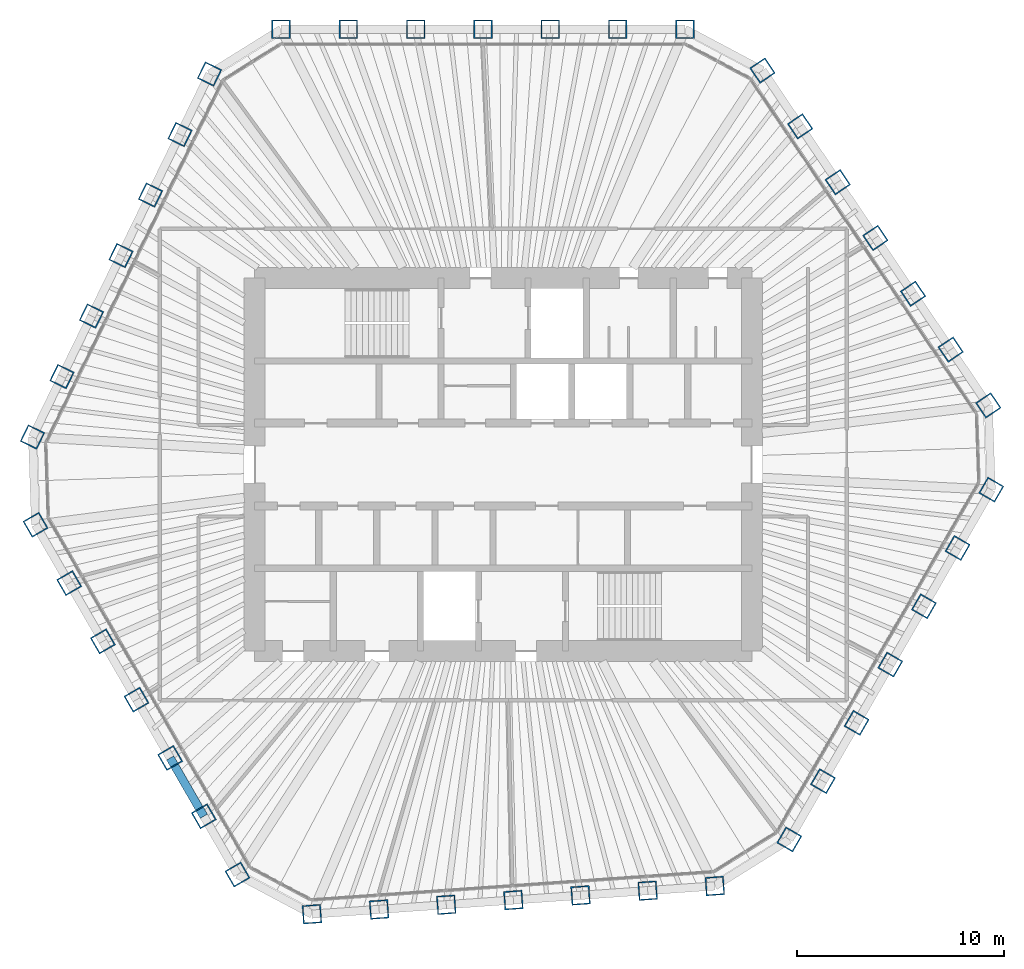
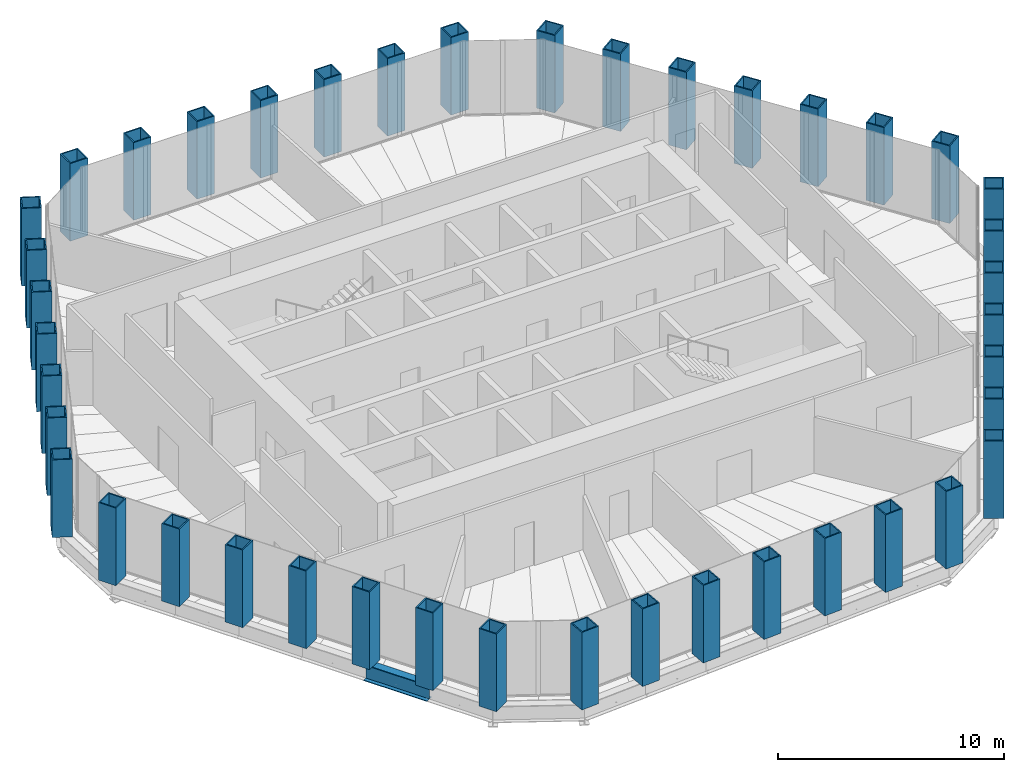
# One storey, part 1 of 14: 42 columns, 1 beam.
"""IFC4 building model written with IfcOpenShell, lengths in metres."""

from ifc_helpers import new_model, si_unit, direction, frame, origin, origin_2d, place, context, subcontext, project, spatial, hollow_rectangle, i_section, extrude, material, material_profile, profile_set, type_object, element, save


model = new_model("IFC4")

# Units and contexts
model_context = context("Model", 3, precision=1e-05, world=origin(), true_north=direction((0.0, 1.0)))
body_context = subcontext(model_context, "Body", "Model", "MODEL_VIEW")
ifc_project = project(units=[si_unit("LENGTHUNIT", "METRE"), si_unit("AREAUNIT", "SQUARE_METRE"), si_unit("VOLUMEUNIT", "CUBIC_METRE"), si_unit("PLANEANGLEUNIT", "RADIAN"), si_unit("MASSUNIT", "GRAM", prefix="KILO")], contexts=[model_context])

# Site, building, storey
site_placement = place(None, origin())
site = spatial("IfcSite", under=ifc_project, at=site_placement, CompositionType="ELEMENT")
building_placement = place(site_placement, origin())
building = spatial("IfcBuilding", under=site, at=building_placement, Name="Qingtian Harvest Tower", CompositionType="ELEMENT")
storey_placement = place(building_placement, frame((0.0, 0.0, 295.60009765625)))
storey = spatial("IfcBuildingStorey", under=building, at=storey_placement, Name="L65", CompositionType="ELEMENT", Elevation=295.60009765625)

# Columns
ifc_material_1 = material(Name="Steel SM570MC", Category="steel")
ifc_material_profile_1 = material_profile(ifc_material_1, hollow_rectangle(XDim=0.89990234375, YDim=0.89990234375, WallThickness=0.06005859375, at=origin_2d()), Name="BOX900x900x60")
ifc_profile_set_1 = profile_set([ifc_material_profile_1], Name="Steel SM570MC")
column_type = type_object("IfcColumnType", Name="Tube column TC7 BOX900x900x60", PredefinedType="COLUMN", material=ifc_profile_set_1)
for number, where, z_axis, x_axis, name in (
    (1, (-10.72216796875, 21.0, 0.0), (0.0, 0.0, 1.0), (-1.0, 0.0, 0.0), "Tube column TC7 N0"),
    (2, (-7.47412109375, 21.0, 0.0), (0.0, 0.0, 1.0), (-1.0, 0.0, 0.0), "Tube column TC7 N1"),
    (3, (-4.226318359375, 21.0, 0.0), (0.0, 0.0, 1.0), (-1.0, 0.0, 0.0), "Tube column TC7 N2"),
    (4, (-0.978271484375, 21.0, 0.0), (0.0, 0.0, 1.0), (-1.0, 0.0, 0.0), "Tube column TC7 N3"),
    (5, (2.269775390625, 21.0, 0.0), (0.0, 0.0, 1.0), (-1.0, 0.0, 0.0), "Tube column TC7 N4"),
    (6, (5.517822265625, 21.0, 0.0), (0.0, 0.0, 1.0), (-1.0, 0.0, 0.0), "Tube column TC7 N5"),
    (7, (8.765869140625, 21.0, 0.0), (0.0, 0.0, 1.0), (-1.0, 0.0, 0.0), "Tube column TC7 N6"),
    (8, (12.508056640625, 19.01025390625, 0.0), (0.0, 0.0, 1.0), (-0.559192903471, 0.829037572555, 0.0), "Tube column TC7 NE0"),
    (9, (14.32421875, 16.317626953125, 0.0), (0.0, 0.0, 1.0), (-0.559192903471, 0.829037572555, 0.0), "Tube column TC7 NE1"),
    (10, (16.140625, 13.624755859375, 0.0), (0.0, 0.0, 1.0), (-0.559192903471, 0.829037572555, 0.0), "Tube column TC7 NE2"),
    (11, (17.956787109375, 10.93212890625, 0.0), (0.0, 0.0, 1.0), (-0.559192903471, 0.829037572555, 0.0), "Tube column TC7 NE3"),
    (12, (19.77294921875, 8.2392578125, 0.0), (0.0, 0.0, 1.0), (-0.559192903471, 0.829037572555, 0.0), "Tube column TC7 NE4"),
    (13, (21.58935546875, 5.546630859375, 0.0), (0.0, 0.0, 1.0), (-0.559192903471, 0.829037572555, 0.0), "Tube column TC7 NE5"),
    (14, (23.405517578125, 2.85400390625, 0.0), (0.0, 0.0, 1.0), (-0.559192903471, 0.829037572555, 0.0), "Tube column TC7 NE6"),
    (15, (23.547607421875, -1.21435546875, 0.0), (0.0, 0.0, 1.0), (0.5, 0.866025403784, 0.0), "Tube column TC7 SE0"),
    (16, (21.923583984375, -4.027099609375, 0.0), (0.0, 0.0, 1.0), (0.5, 0.866025403784, 0.0), "Tube column TC7 SE1"),
    (17, (20.299560546875, -6.840087890625, 0.0), (0.0, 0.0, 1.0), (0.5, 0.866025403784, 0.0), "Tube column TC7 SE2"),
    (18, (18.675537109375, -9.65283203125, 0.0), (0.0, 0.0, 1.0), (0.5, 0.866025403784, 0.0), "Tube column TC7 SE3"),
    (19, (17.051513671875, -12.4658203125, 0.0), (0.0, 0.0, 1.0), (0.5, 0.866025403784, 0.0), "Tube column TC7 SE4"),
    (20, (15.427490234375, -15.278564453125, 0.0), (0.0, 0.0, 1.0), (0.5, 0.866025403784, 0.0), "Tube column TC7 SE5"),
    (21, (13.803466796875, -18.091552734375, 0.0), (0.0, 0.0, 1.0), (0.5, 0.866025403784, 0.0), "Tube column TC7 SE6"),
    (22, (10.20947265625, -20.33740234375, 0.0), (0.0, 0.0, 1.0), (0.99756405026, 0.069756473744, 0.0), "Tube column TC7 S0"),
    (23, (6.96923828125, -20.56396484375, 0.0), (0.0, 0.0, 1.0), (0.99756405026, 0.069756473744, 0.0), "Tube column TC7 S1"),
    (24, (3.729248046875, -20.79052734375, 0.0), (0.0, 0.0, 1.0), (0.99756405026, 0.069756473744, 0.0), "Tube column TC7 S2"),
    (25, (0.489013671875, -21.01708984375, 0.0), (0.0, 0.0, 1.0), (0.99756405026, 0.069756473744, 0.0), "Tube column TC7 S3"),
    (26, (-2.7509765625, -21.24365234375, 0.0), (0.0, 0.0, 1.0), (0.99756405026, 0.069756473744, 0.0), "Tube column TC7 S4"),
    (27, (-5.9912109375, -21.47021484375, 0.0), (0.0, 0.0, 1.0), (0.99756405026, 0.069756473744, 0.0), "Tube column TC7 S5"),
    (28, (-9.231201171875, -21.69677734375, 0.0), (0.0, 0.0, 1.0), (0.99756405026, 0.069756473744, 0.0), "Tube column TC7 S6"),
    (29, (-12.825439453125, -19.78564453125, 0.0), (0.0, 0.0, 1.0), (0.5, -0.866025403784, 0.0), "Tube column TC7 SW0"),
    (30, (-14.449462890625, -16.972900390625, 0.0), (0.0, 0.0, 1.0), (0.5, -0.866025403784, 0.0), "Tube column TC7 SW1"),
    (31, (-16.073486328125, -14.159912109375, 0.0), (0.0, 0.0, 1.0), (0.5, -0.866025403784, 0.0), "Tube column TC7 SW2"),
    (32, (-17.697509765625, -11.34716796875, 0.0), (0.0, 0.0, 1.0), (0.5, -0.866025403784, 0.0), "Tube column TC7 SW3"),
    (33, (-19.321533203125, -8.5341796875, 0.0), (0.0, 0.0, 1.0), (0.5, -0.866025403784, 0.0), "Tube column TC7 SW4"),
    (34, (-20.945556640625, -5.721435546875, 0.0), (0.0, 0.0, 1.0), (0.5, -0.866025403784, 0.0), "Tube column TC7 SW5"),
    (35, (-22.569580078125, -2.908447265625, 0.0), (0.0, 0.0, 1.0), (0.5, -0.866025403784, 0.0), "Tube column TC7 SW6"),
    (36, (-22.71728515625, 1.3271484375, 0.0), (0.0, 0.0, 1.0), (-0.438371146789, -0.898794046299, 0.0), "Tube column TC7 NW0"),
    (37, (-21.29345703125, 4.246337890625, 0.0), (0.0, 0.0, 1.0), (-0.438371146789, -0.898794046299, 0.0), "Tube column TC7 NW1"),
    (38, (-19.86962890625, 7.165771484375, 0.0), (0.0, 0.0, 1.0), (-0.438371146789, -0.898794046299, 0.0), "Tube column TC7 NW2"),
    (39, (-18.44580078125, 10.0849609375, 0.0), (0.0, 0.0, 1.0), (-0.438371146789, -0.898794046299, 0.0), "Tube column TC7 NW3"),
    (40, (-17.02197265625, 13.00439453125, 0.0), (0.0, 0.0, 1.0), (-0.438371146789, -0.898794046299, 0.0), "Tube column TC7 NW4"),
    (41, (-15.59814453125, 15.923583984375, 0.0), (0.0, 0.0, 1.0), (-0.438371146789, -0.898794046299, 0.0), "Tube column TC7 NW5"),
    (42, (-14.17431640625, 18.8427734375, 0.0), (0.0, 0.0, 1.0), (-0.438371146789, -0.898794046299, 0.0), "Tube column TC7 NW6"),
):
    element("IfcColumn", number, at=place(storey_placement, frame(where, z_axis=z_axis, x_axis=x_axis)), inside=storey, type_object=column_type, Name=name, PredefinedType="COLUMN", context=body_context, shape_type="SweptSolid", body=[
        extrude(hollow_rectangle(XDim=0.89990234375, YDim=0.89990234375, WallThickness=0.06005859375, at=origin_2d()), origin(), (0.0, 0.0, 1.0), 4.199951171875),
    ])

# Beam
ifc_material_2 = material(Name="Steel SN490B", Category="steel")
ifc_material_profile_2 = material_profile(ifc_material_2, i_section(OverallWidth=0.39990234375, OverallDepth=0.89990234375, WebThickness=0.01904296875, FlangeThickness=0.035888671875, at=origin_2d()), Name="H900x400x19x36")
ifc_profile_set_2 = profile_set([ifc_material_profile_2], Name="Steel SN490B")
beam_type = type_object("IfcBeamType", Name="Spandrel beam SB4 H900x400x19x36", PredefinedType="SPANDREL", material=ifc_profile_set_2)
beam_placement = place(storey_placement, frame((-14.449462890625, -16.972900390625, -0.4501953125), z_axis=(-0.499987045439, 0.866032882975, 0.0), x_axis=(-0.866032882975, -0.499987045439, 0.0)))
element("IfcBeam", 43, at=beam_placement, inside=storey, type_object=beam_type, Name="Spandrel SB4 SW1", PredefinedType="SPANDREL", context=body_context, shape_type="SweptSolid", body=[
    extrude(i_section(OverallWidth=0.39990234375, OverallDepth=0.89990234375, WebThickness=0.01904296875, FlangeThickness=0.035888671875, at=origin_2d()), origin(), (0.0, 0.0, 1.0), 3.248046875),
])

save(model, "model.ifc")
